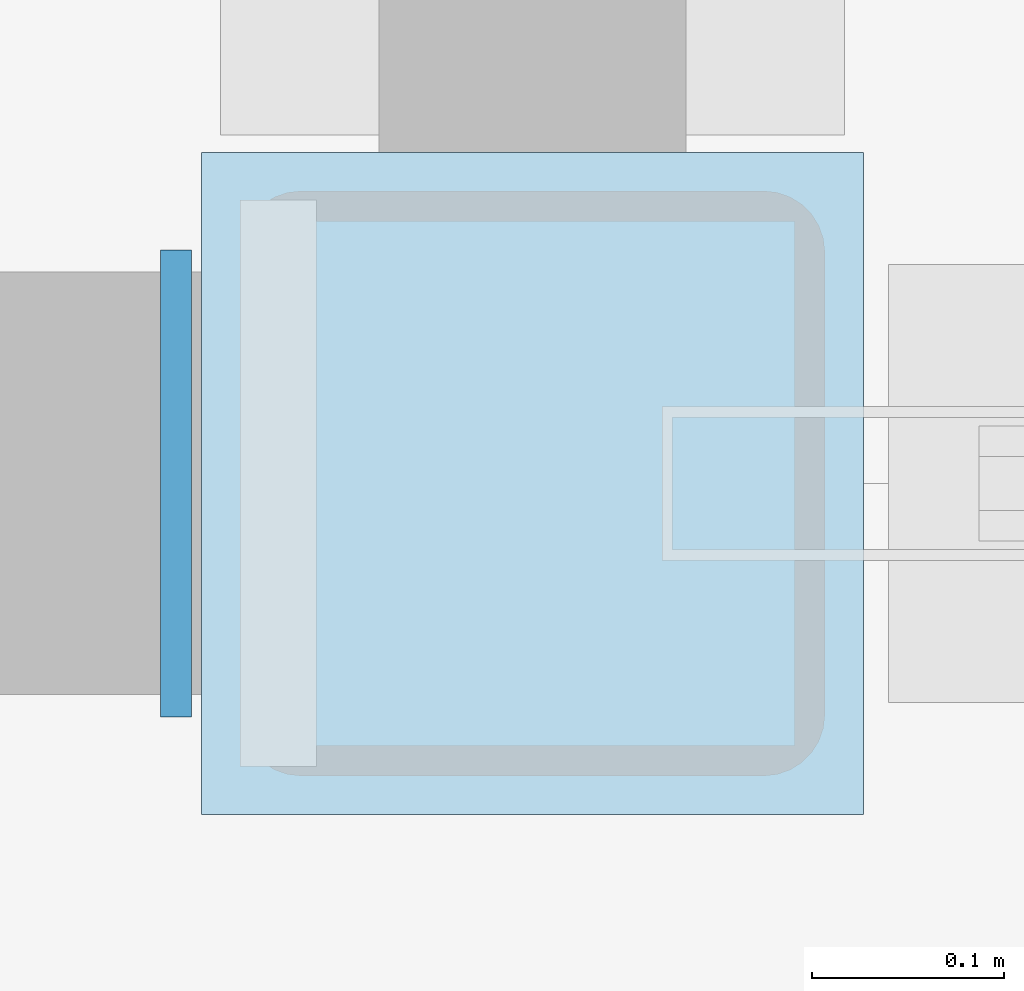
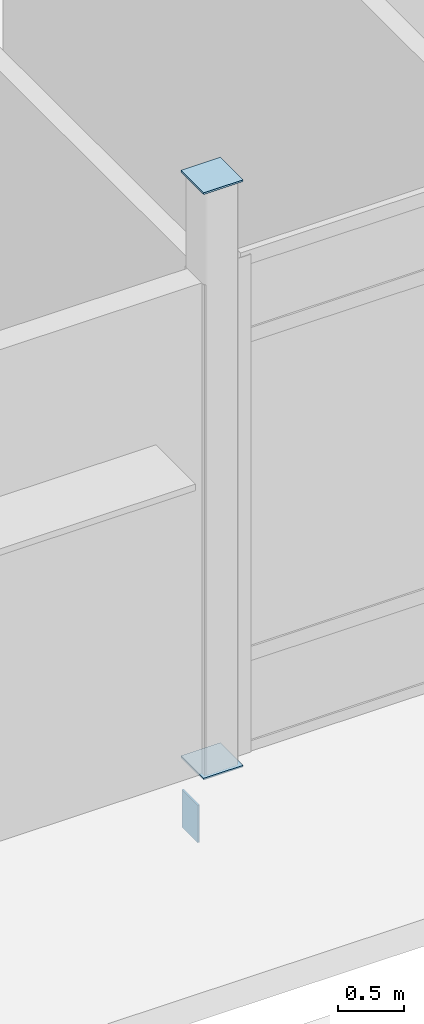
# One storey, part 167 of 229: 3 plates.
"""IFC4 building model written with IfcOpenShell, lengths in metres."""

from ifc_helpers import new_model, si_unit, direction, frame, origin, origin_2d, place, context, subcontext, project, spatial, rectangle, extrude, material, layer, layer_set, type_object, element, save


model = new_model("IFC4")

# Units and contexts
model_context = context("Model", 3, precision=1e-05, world=origin(), true_north=direction((0.0, 1.0)))
body_context = subcontext(model_context, "Body", "Model", "MODEL_VIEW")
ifc_project = project(units=[si_unit("LENGTHUNIT", "METRE"), si_unit("AREAUNIT", "SQUARE_METRE"), si_unit("VOLUMEUNIT", "CUBIC_METRE"), si_unit("PLANEANGLEUNIT", "RADIAN"), si_unit("MASSUNIT", "GRAM", prefix="KILO")], contexts=[model_context])

# Site, building, storey
site_placement = place(None, origin())
site = spatial("IfcSite", under=ifc_project, at=site_placement, CompositionType="ELEMENT")
building_placement = place(site_placement, origin())
building = spatial("IfcBuilding", under=site, at=building_placement, Name="Calvrana Isthmian Art Gallery", CompositionType="ELEMENT")
storey_placement = place(building_placement, origin())
storey = spatial("IfcBuildingStorey", under=building, at=storey_placement, Name="L00", CompositionType="ELEMENT", Elevation=0.0)

# Plates
ifc_material = material(Name="Steel ASTM A572 Gr 50", Category="steel")
ifc_layer = layer(ifc_material, 0.01611328125, Name="Steel ASTM A572 Gr 50")
ifc_layer_set = layer_set([ifc_layer], Name="Steel ASTM A572 Gr 50")
plate_type = type_object("IfcPlateType", Name="PL-CAP-16", PredefinedType="SHEET", material=ifc_layer_set)
for number, where, z_axis, x_axis, name in (
    (1, (120.0, 0.0, -0.008056640625), (0.0, 0.0, 1.0), (1.0, 0.0, 0.0), "Hollow section end cap plate 277"),
    (2, (120.0, 0.0, 5.391845703125), (0.0, 0.0, 1.0), (1.0, 0.0, 0.0), "Hollow section end cap plate 278"),
):
    element("IfcPlate", number, at=place(storey_placement, frame(where, z_axis=z_axis, x_axis=x_axis)), inside=storey, type_object=plate_type, Name=name, PredefinedType="SHEET", context=body_context, shape_type="SweptSolid", body=[
        extrude(rectangle(XDim=0.3447265625, YDim=0.3447265625, at=origin_2d()), origin(), (0.0, 0.0, 1.0), 0.01611328125),
    ])
plate_placement = place(storey_placement, frame((119.814453125, 0.0, -0.60986328125), z_axis=(0.0, 0.0, 1.0), x_axis=(1.0, 0.0, 0.0)))
element("IfcPlate", 3, at=plate_placement, inside=storey, type_object=plate_type, Name="Hollow section end cap plate 374", PredefinedType="SHEET", context=body_context, shape_type="SweptSolid", body=[
    extrude(rectangle(XDim=0.01611328125, YDim=0.2431640625, at=origin_2d()), origin(), (0.0, 0.0, 1.0), 0.3447265625),
])

save(model, "model.ifc")
